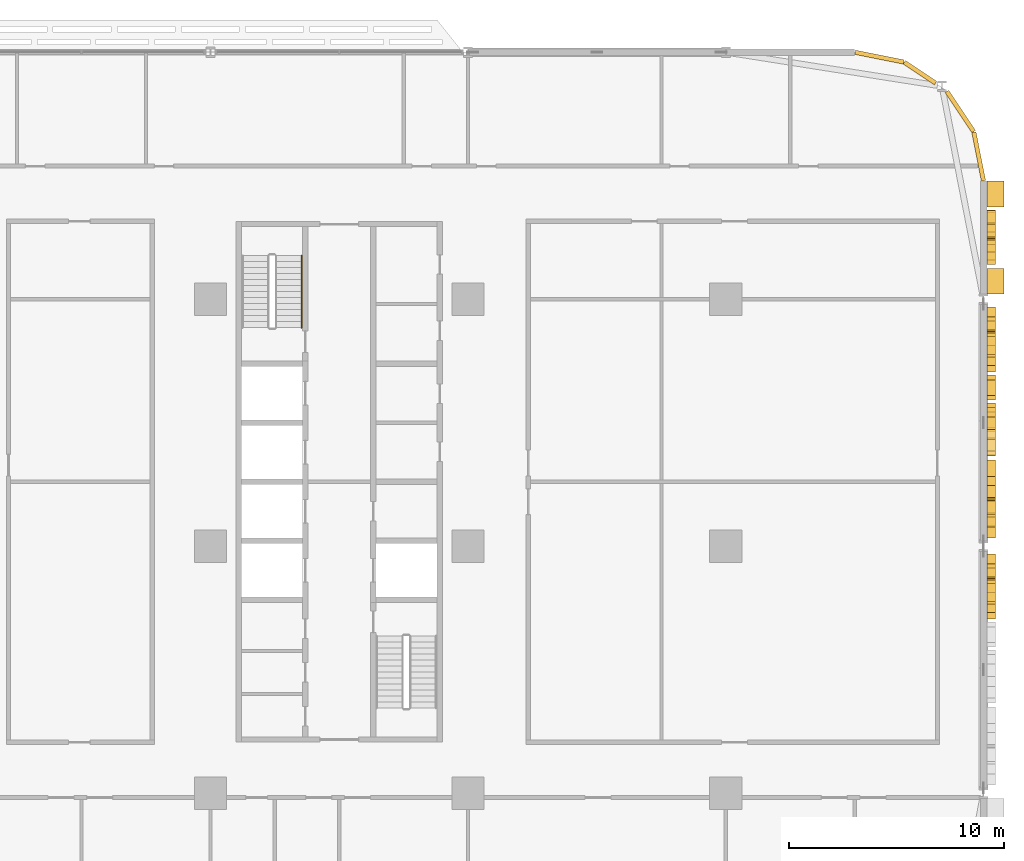
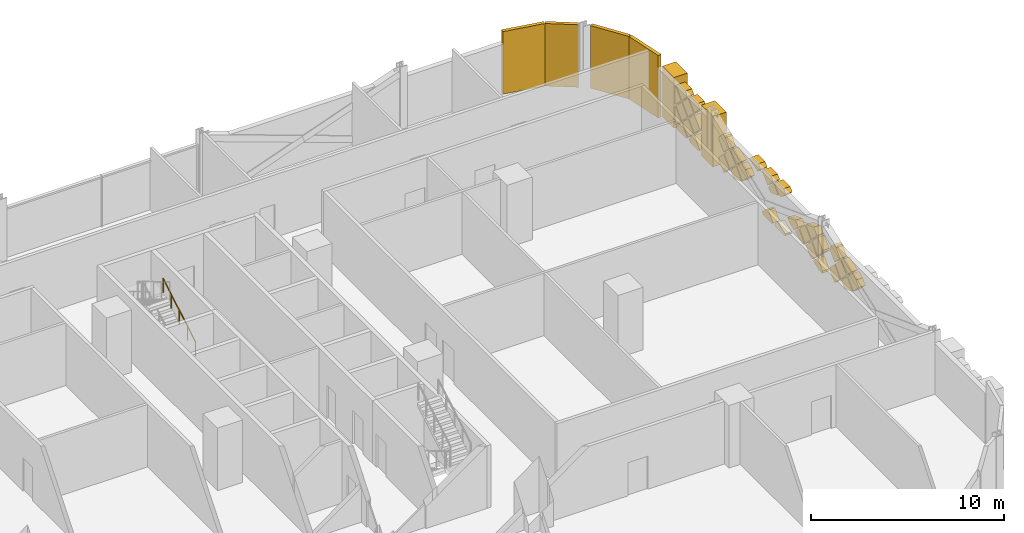
# One storey, part 29 of 29: 41 coverings, 1 railing.
"""IFC4 building model written with IfcOpenShell, lengths in metres."""

from ifc_helpers import new_model, si_unit, direction, frame, origin, origin_2d, place, context, subcontext, project, spatial, polyline, rectangle, circle, outline, extrude, material, layer, layer_set, type_object, element, save


model = new_model("IFC4")

# Units and contexts
model_context = context("Model", 3, precision=1e-05, world=origin(), true_north=direction((0.0, 1.0)))
body_context = subcontext(model_context, "Body", "Model", "MODEL_VIEW")
ifc_project = project(units=[si_unit("LENGTHUNIT", "METRE"), si_unit("AREAUNIT", "SQUARE_METRE"), si_unit("VOLUMEUNIT", "CUBIC_METRE"), si_unit("PLANEANGLEUNIT", "RADIAN"), si_unit("MASSUNIT", "GRAM", prefix="KILO")], contexts=[model_context])

# Site, building, storey
site_placement = place(None, origin())
site = spatial("IfcSite", under=ifc_project, at=site_placement, CompositionType="ELEMENT")
building_placement = place(site_placement, origin())
building = spatial("IfcBuilding", under=site, at=building_placement, Name="Mahtab Terrace Research Tower", CompositionType="ELEMENT")
storey_placement = place(building_placement, frame((0.0, 0.0, 58.89990234375)))
storey = spatial("IfcBuildingStorey", under=building, at=storey_placement, Name="L13", CompositionType="ELEMENT", Elevation=58.89990234375)

# Coverings
ifc_material_1 = material(Name="Black aluminium cladding panel", Category="aluminium")
ifc_layer_1 = layer(ifc_material_1, 0.199951171875)
ifc_layer_set_1 = layer_set([ifc_layer_1], Name="Black metal corner cladding 200")
covering_type_1 = type_object("IfcCoveringType", Name="Black metal corner cladding 200", PredefinedType="CLADDING", material=ifc_layer_set_1)
covering_1_placement = place(storey_placement, frame((52.911376953125, 20.2421875, 0.0), z_axis=(0.0, 0.0, 1.0), x_axis=(-0.555291490808, 0.831655794326, 0.0)))
element("IfcCovering", 1, at=covering_1_placement, inside=storey, type_object=covering_type_1, Name="Corner cladding L13 0", PredefinedType="CLADDING", context=body_context, shape_type="SweptSolid", body=[
    extrude(rectangle(XDim=2.235595703125, YDim=0.199951171875, at=origin_2d()), origin(), (0.0, 0.0, 1.0), 3.9599609375),
])
covering_2_placement = place(storey_placement, frame((51.0380859375, 22.047607421875, 0.0), z_axis=(0.0, 0.0, 1.0), x_axis=(-0.831655794326, 0.555291490808, 0.0)))
element("IfcCovering", 2, at=covering_2_placement, inside=storey, type_object=covering_type_1, Name="Corner cladding L13 1", PredefinedType="CLADDING", context=body_context, shape_type="SweptSolid", body=[
    extrude(rectangle(XDim=1.74462890625, YDim=0.199951171875, at=origin_2d()), origin(), (0.0, 0.0, 1.0), 3.9599609375),
])
for number, where, z_axis, x_axis, name in (
    (3, (49.14794921875, 22.771484375, 0.0), (0.0, 0.0, 1.0), (-0.980760981187, 0.195212442692, 0.0), "Corner cladding L13 2"),
    (4, (53.771484375, 18.14794921875, 0.0), (0.0, 0.0, 1.0), (-0.195212442692, 0.980760981187, 0.0), "Corner cladding L13 39"),
):
    element("IfcCovering", number, at=place(storey_placement, frame(where, z_axis=z_axis, x_axis=x_axis)), inside=storey, type_object=covering_type_1, Name=name, PredefinedType="CLADDING", context=body_context, shape_type="SweptSolid", body=[
        extrude(rectangle(XDim=2.30126953125, YDim=0.199951171875, at=origin_2d()), origin(), (0.0, 0.0, 1.0), 3.9599609375),
    ])
ifc_material_2 = material(Name="Bronze anodised aluminium", Category="aluminium")
ifc_layer_2 = layer(ifc_material_2, 0.39990234375)
ifc_layer_set_2 = layer_set([ifc_layer_2], Name="Mashrabiya relief panel 400")
covering_type_2 = type_object("IfcCoveringType", Name="Mashrabiya relief panel 400", PredefinedType="CLADDING", material=ifc_layer_set_2)
covering_3_placement = place(storey_placement, frame((54.14990234375, -2.23193359375, 1.550048828125), z_axis=(-1.0, 0.0, 0.0), x_axis=(0.0, -0.707255598772, -0.706957932274)))
element("IfcCovering", 5, at=covering_3_placement, inside=storey, type_object=covering_type_2, Name="Mashrabiya lattice cell L13 E36.14", PredefinedType="CLADDING", context=body_context, shape_type="SweptSolid", body=[
    extrude(outline(polyline([(0.0, 0.0), (0.8201817362875763, 0.0), (0.8205270032629295, 0.8201816636150915), (0.3948128226525338, 0.8202712687888676), (0.00013488013181550684, 0.6408155062553886), (0.0, 0.0)])), origin(), (0.0, 0.0, -1.0), 0.39990234375),
])
covering_4_placement = place(storey_placement, frame((54.14990234375, -2.741943359375, 0.900146484375), z_axis=(-1.0, 0.0, 0.0), x_axis=(0.0, 0.707106781187, 0.707106781187)))
element("IfcCovering", 6, at=covering_4_placement, inside=storey, type_object=covering_type_2, Name="Mashrabiya lattice cell L13 E36.15", PredefinedType="CLADDING", context=body_context, shape_type="SweptSolid", body=[
    extrude(outline(polyline([(0.0, 0.0), (0.8200090846279543, 0.0), (0.820181718119455, 0.820181718119455), (0.35493445852527883, 0.8203543516109556), (0.0, 0.042467838909153004), (0.0, 0.0)])), origin(), (0.0, 0.0, -1.0), 0.39990234375),
])
covering_5_placement = place(storey_placement, frame((54.14990234375, -1.58203125, 2.2001953125), z_axis=(-1.0, 0.0, 0.0), x_axis=(0.0, -0.707106781187, -0.707106781187)))
element("IfcCovering", 7, at=covering_5_placement, inside=storey, type_object=covering_type_2, Name="Mashrabiya lattice cell L13 E36.16", PredefinedType="CLADDING", context=body_context, shape_type="SweptSolid", body=[
    extrude(outline(polyline([(0.0, 0.0), (0.8203543516109556, 0.0), (0.8203543516109556, 0.5952402786941445), (0.0, 0.22200667006979985), (0.0, 0.0)])), origin(), (0.0, 0.0, -1.0), 0.39990234375),
])
covering_6_placement = place(storey_placement, frame((54.14990234375, -1.511962890625, 2.130126953125), z_axis=(-1.0, 0.0, 0.0), x_axis=(0.0, 0.707106781187, -0.707106781187)))
element("IfcCovering", 8, at=covering_6_placement, inside=storey, type_object=covering_type_2, Name="Mashrabiya lattice cell L13 E36.17", PredefinedType="CLADDING", context=body_context, shape_type="SweptSolid", body=[
    extrude(outline(polyline([(0.0, 0.0), (0.8203543516109556, 0.0), (0.820181718119455, 0.820181718119455), (0.0, 0.8203543516109556), (0.0, 0.0)])), origin(), (0.0, 0.0, -1.0), 0.39990234375),
])
covering_7_placement = place(storey_placement, frame((54.14990234375, -0.862060546875, 0.320068359375), z_axis=(-1.0, 0.0, 0.0), x_axis=(0.0, -0.706957932274, 0.707255598772)))
element("IfcCovering", 9, at=covering_7_placement, inside=storey, type_object=covering_type_2, Name="Mashrabiya lattice cell L13 E36.18", PredefinedType="CLADDING", context=body_context, shape_type="SweptSolid", body=[
    extrude(outline(polyline([(0.0, 0.0), (0.8201817362875763, 0.0), (0.8203543334390104, 0.8200090664636573), (0.12895725163063232, 0.8203272266021746), (0.00014556298708318094, 0.6915697516322972), (0.0, 0.0)])), origin(), (0.0, 0.0, -1.0), 0.39990234375),
])
covering_8_placement = place(storey_placement, frame((54.14990234375, -0.862060546875, 1.6201171875), z_axis=(-1.0, 0.0, 0.0), x_axis=(0.0, -0.706957932274, 0.707255598772)))
element("IfcCovering", 10, at=covering_8_placement, inside=storey, type_object=covering_type_2, Name="Mashrabiya lattice cell L13 E36.19", PredefinedType="CLADDING", context=body_context, shape_type="SweptSolid", body=[
    extrude(outline(polyline([(0.0, 0.0), (0.8201817362875763, 0.0), (0.8203091311534559, 0.6052530077940174), (0.7228164492379968, 0.820202229928294), (0.12878458180671332, 0.8201546294507405), (0.00014556298708318094, 0.6915697516322972), (0.0, 0.0)])), origin(), (0.0, 0.0, -1.0), 0.39990234375),
])
covering_9_placement = place(storey_placement, frame((54.14990234375, 0.373046875, 0.18505859375), z_axis=(-1.0, 0.0, 0.0), x_axis=(0.0, 0.0, 1.0)))
element("IfcCovering", 11, at=covering_9_placement, inside=storey, type_object=covering_type_2, Name="Mashrabiya lattice cell L13 E37.1", PredefinedType="CLADDING", context=body_context, shape_type="SweptSolid", body=[
    extrude(outline(polyline([(0.0, 0.0), (0.130126953125, 0.0), (0.64501953125, 0.514892578125), (0.177978515625, 0.98193359375), (-0.050048828125, 0.373046875), (-0.050048828125, 0.050048828125), (0.0, 0.0)])), origin(), (0.0, 0.0, -1.0), 0.39990234375),
])
covering_10_placement = place(storey_placement, frame((54.14990234375, 0.887939453125, 2.130126953125), z_axis=(-1.0, 0.0, 0.0), x_axis=(0.0, 0.707106781187, -0.707106781187)))
element("IfcCovering", 12, at=covering_10_placement, inside=storey, type_object=covering_type_2, Name="Mashrabiya lattice cell L13 E37.2", PredefinedType="CLADDING", context=body_context, shape_type="SweptSolid", body=[
    extrude(outline(polyline([(0.0, 0.0), (0.8203543516109556, 0.0), (0.820181718119455, 0.820181718119455), (0.0920136509698315, 0.820181718119455), (0.0001726334915005956, 0.728340700641124), (0.0, 0.0)])), origin(), (0.0, 0.0, -1.0), 0.39990234375),
])
covering_11_placement = place(storey_placement, frame((54.14990234375, 0.9580078125, 0.900146484375), z_axis=(-1.0, 0.0, 0.0), x_axis=(0.0, 0.707255598772, 0.706957932274)))
element("IfcCovering", 13, at=covering_11_placement, inside=storey, type_object=covering_type_2, Name="Mashrabiya lattice cell L13 E37.3", PredefinedType="CLADDING", context=body_context, shape_type="SweptSolid", body=[
    extrude(outline(polyline([(0.0, 0.0), (0.8201817362875763, 0.0), (0.8203543334390104, 0.8200090664636573), (0.25187229485634266, 0.8203013551975809), (0.0001485425589606293, 0.705725697621775), (0.0, 0.0)])), origin(), (0.0, 0.0, -1.0), 0.39990234375),
])
covering_12_placement = place(storey_placement, frame((54.14990234375, 2.117919921875, 2.2001953125), z_axis=(-1.0, 0.0, 0.0), x_axis=(0.0, -0.706957932274, -0.707255598772)))
element("IfcCovering", 14, at=covering_12_placement, inside=storey, type_object=covering_type_2, Name="Mashrabiya lattice cell L13 E37.4", PredefinedType="CLADDING", context=body_context, shape_type="SweptSolid", body=[
    extrude(outline(polyline([(0.0, 0.0), (0.8201817362875763, 0.0), (0.8200090664636573, 0.8203543334390104), (0.35769658646583113, 0.820257024981844), (-7.12190351180933e-06, 0.033836163584605644), (0.0, 0.0)])), origin(), (0.0, 0.0, -1.0), 0.39990234375),
])
covering_13_placement = place(storey_placement, frame((54.14990234375, 2.18798828125, 2.130126953125), z_axis=(-1.0, 0.0, 0.0), x_axis=(0.0, 0.707106781187, -0.707106781187)))
element("IfcCovering", 15, at=covering_13_placement, inside=storey, type_object=covering_type_2, Name="Mashrabiya lattice cell L13 E37.5", PredefinedType="CLADDING", context=body_context, shape_type="SweptSolid", body=[
    extrude(outline(polyline([(0.0, 0.0), (0.8203543516109556, 0.0), (0.820181718119455, 0.820181718119455), (0.0, 0.8203543516109556), (0.0, 0.0)])), origin(), (0.0, 0.0, -1.0), 0.39990234375),
])
covering_14_placement = place(storey_placement, frame((54.14990234375, 2.258056640625, 0.900146484375), z_axis=(-1.0, 0.0, 0.0), x_axis=(0.0, 0.707106781187, 0.707106781187)))
element("IfcCovering", 16, at=covering_14_placement, inside=storey, type_object=covering_type_2, Name="Mashrabiya lattice cell L13 E37.6", PredefinedType="CLADDING", context=body_context, shape_type="SweptSolid", body=[
    extrude(outline(polyline([(0.0, 0.0), (0.8200090846279543, 0.0), (0.820181718119455, 0.5798758979505892), (0.0, 0.2050885879027389), (0.0, 0.0)])), origin(), (0.0, 0.0, -1.0), 0.39990234375),
])
covering_15_placement = place(storey_placement, frame((54.14990234375, 2.907958984375, 1.550048828125), z_axis=(-1.0, 0.0, 0.0), x_axis=(0.0, 0.707106781187, 0.707106781187)))
element("IfcCovering", 17, at=covering_15_placement, inside=storey, type_object=covering_type_2, Name="Mashrabiya lattice cell L13 E37.7", PredefinedType="CLADDING", context=body_context, shape_type="SweptSolid", body=[
    extrude(outline(polyline([(0.0, 0.0), (0.3804842152673708, 0.0), (0.753890457383216, 0.820181718119455), (0.43003002732804935, 0.8201817181194551), (0.0001726334915006511, 0.6237248047917472), (0.0, 0.0)])), origin(), (0.0, 0.0, -1.0), 0.39990234375),
])
covering_16_placement = place(storey_placement, frame((54.14990234375, 4.2080078125, 0.25), z_axis=(-1.0, 0.0, 0.0), x_axis=(0.0, 0.707106781187, 0.707106781187)))
element("IfcCovering", 18, at=covering_16_placement, inside=storey, type_object=covering_type_2, Name="Mashrabiya lattice cell L13 E37.8", PredefinedType="CLADDING", context=body_context, shape_type="SweptSolid", body=[
    extrude(outline(polyline([(0.0, 0.0), (0.06939866358325003, 0.0), (0.8203543516109555, 0.3421595801542327), (0.820181718119455, 0.820181718119455), (0.6575609691258691, 0.820181718119455), (0.0, 0.1626207489935859), (0.0, 0.0)])), origin(), (0.0, 0.0, -1.0), 0.39990234375),
])
covering_17_placement = place(storey_placement, frame((54.14990234375, 4.2080078125, 2.85009765625), z_axis=(-1.0, 0.0, 0.0), x_axis=(0.0, 0.707106781187, 0.707106781187)))
element("IfcCovering", 19, at=covering_17_placement, inside=storey, type_object=covering_type_2, Name="Mashrabiya lattice cell L13 E37.9", PredefinedType="CLADDING", context=body_context, shape_type="SweptSolid", body=[
    extrude(outline(polyline([(0.0, 0.0), (0.30832341582011086, 0.0), (0.820181718119455, 0.511858302299344), (0.820181718119455, 0.820181718119455), (0.09891899062985643, 0.820181718119455), (0.0, 0.6038719532691756), (0.0, 0.0)])), origin(), (0.0, 0.0, -1.0), 0.39990234375),
])
covering_18_placement = place(storey_placement, frame((54.14990234375, 5.43798828125, 2.780029296875), z_axis=(-1.0, 0.0, 0.0), x_axis=(0.0, 0.707255598772, -0.706957932274)))
element("IfcCovering", 20, at=covering_18_placement, inside=storey, type_object=covering_type_2, Name="Mashrabiya lattice cell L13 E37.10", PredefinedType="CLADDING", context=body_context, shape_type="SweptSolid", body=[
    extrude(outline(polyline([(0.0, 0.0), (0.8201817362875763, 0.0), (0.8201370427094155, 0.21233918984216815), (0.767805005014702, 0.3267841822902776), (-0.00014229272526661285, 0.6760327377414068), (0.0, 0.0)])), origin(), (0.0, 0.0, -1.0), 0.39990234375),
])
covering_19_placement = place(storey_placement, frame((54.14990234375, 5.508056640625, 0.25), z_axis=(-1.0, 0.0, 0.0), x_axis=(0.0, 0.707106781187, 0.707106781187)))
element("IfcCovering", 21, at=covering_19_placement, inside=storey, type_object=covering_type_2, Name="Mashrabiya lattice cell L13 E37.11", PredefinedType="CLADDING", context=body_context, shape_type="SweptSolid", body=[
    extrude(outline(polyline([(0.0, 0.0), (0.7185005916255887, 0.0), (0.8203543516109557, 0.22476880593380982), (0.820181718119455, 0.820181718119455), (0.6575609691258691, 0.820181718119455), (0.0, 0.1626207489935859), (0.0, 0.0)])), origin(), (0.0, 0.0, -1.0), 0.39990234375),
])
covering_20_placement = place(storey_placement, frame((54.14990234375, 6.66796875, 2.85009765625), z_axis=(-1.0, 0.0, 0.0), x_axis=(0.0, -0.707106781187, -0.707106781187)))
element("IfcCovering", 22, at=covering_20_placement, inside=storey, type_object=covering_type_2, Name="Mashrabiya lattice cell L13 E37.12", PredefinedType="CLADDING", context=body_context, shape_type="SweptSolid", body=[
    extrude(outline(polyline([(0.0, 0.0), (0.8203543516109556, 0.0), (0.820181718119455, 0.820181718119455), (0.511858302299344, 0.820181718119455), (0.0, 0.30832341582011086), (0.0, 0.0)])), origin(), (0.0, 0.0, -1.0), 0.39990234375),
])
covering_21_placement = place(storey_placement, frame((54.14990234375, 6.80810546875, 2.85009765625), z_axis=(-1.0, 0.0, 0.0), x_axis=(0.0, 0.706710532033, 0.707502808414)))
element("IfcCovering", 23, at=covering_21_placement, inside=storey, type_object=covering_type_2, Name="Mashrabiya lattice cell L13 E37.13", PredefinedType="CLADDING", context=body_context, shape_type="SweptSolid", body=[
    extrude(outline(polyline([(0.0, 0.0), (0.3081508306853267, 0.0), (0.8198948341056175, 0.5123177074599996), (0.819722103927782, 0.820641074896311), (0.7872670126186966, 0.8206228927723282), (-0.00025822484592424866, 0.4609313499747767), (0.0, 0.0)])), origin(), (0.0, 0.0, -1.0), 0.39990234375),
])
covering_22_placement = place(storey_placement, frame((54.14990234375, 9.26806640625, 1.550048828125), z_axis=(-1.0, 0.0, 0.0), x_axis=(0.0, -0.707255598772, -0.706957932274)))
element("IfcCovering", 24, at=covering_22_placement, inside=storey, type_object=covering_type_2, Name="Mashrabiya lattice cell L13 E37.14", PredefinedType="CLADDING", context=body_context, shape_type="SweptSolid", body=[
    extrude(outline(polyline([(0.0, 0.0), (0.8201817362875763, 0.0), (0.8205270032629295, 0.8201816636150915), (0.3948128226525338, 0.8202712687888676), (0.00013488013181550684, 0.6408155062553886), (0.0, 0.0)])), origin(), (0.0, 0.0, -1.0), 0.39990234375),
])
covering_23_placement = place(storey_placement, frame((54.14990234375, 8.758056640625, 0.900146484375), z_axis=(-1.0, 0.0, 0.0), x_axis=(0.0, 0.707106781187, 0.707106781187)))
element("IfcCovering", 25, at=covering_23_placement, inside=storey, type_object=covering_type_2, Name="Mashrabiya lattice cell L13 E37.15", PredefinedType="CLADDING", context=body_context, shape_type="SweptSolid", body=[
    extrude(outline(polyline([(0.0, 0.0), (0.8200090846279543, 0.0), (0.820181718119455, 0.820181718119455), (0.35493445852527883, 0.8203543516109556), (0.0, 0.042467838909153004), (0.0, 0.0)])), origin(), (0.0, 0.0, -1.0), 0.39990234375),
])
covering_24_placement = place(storey_placement, frame((54.14990234375, 9.91796875, 2.2001953125), z_axis=(-1.0, 0.0, 0.0), x_axis=(0.0, -0.707106781187, -0.707106781187)))
element("IfcCovering", 26, at=covering_24_placement, inside=storey, type_object=covering_type_2, Name="Mashrabiya lattice cell L13 E37.16", PredefinedType="CLADDING", context=body_context, shape_type="SweptSolid", body=[
    extrude(outline(polyline([(0.0, 0.0), (0.8203543516109556, 0.0), (0.8203543516109556, 0.5952402786941445), (0.0, 0.22200667006979985), (0.0, 0.0)])), origin(), (0.0, 0.0, -1.0), 0.39990234375),
])
covering_25_placement = place(storey_placement, frame((54.14990234375, 9.988037109375, 2.130126953125), z_axis=(-1.0, 0.0, 0.0), x_axis=(0.0, 0.707106781187, -0.707106781187)))
element("IfcCovering", 27, at=covering_25_placement, inside=storey, type_object=covering_type_2, Name="Mashrabiya lattice cell L13 E37.17", PredefinedType="CLADDING", context=body_context, shape_type="SweptSolid", body=[
    extrude(outline(polyline([(0.0, 0.0), (0.8203543516109556, 0.0), (0.820181718119455, 0.820181718119455), (0.0, 0.8203543516109556), (0.0, 0.0)])), origin(), (0.0, 0.0, -1.0), 0.39990234375),
])
covering_26_placement = place(storey_placement, frame((54.14990234375, 10.637939453125, 0.320068359375), z_axis=(-1.0, 0.0, 0.0), x_axis=(0.0, -0.706957932274, 0.707255598772)))
element("IfcCovering", 28, at=covering_26_placement, inside=storey, type_object=covering_type_2, Name="Mashrabiya lattice cell L13 E37.18", PredefinedType="CLADDING", context=body_context, shape_type="SweptSolid", body=[
    extrude(outline(polyline([(0.0, 0.0), (0.8201817362875763, 0.0), (0.8203543334390104, 0.8200090664636573), (0.12895725163063232, 0.8203272266021746), (0.00014556298708318094, 0.6915697516322972), (0.0, 0.0)])), origin(), (0.0, 0.0, -1.0), 0.39990234375),
])
covering_27_placement = place(storey_placement, frame((54.14990234375, 10.637939453125, 1.6201171875), z_axis=(-1.0, 0.0, 0.0), x_axis=(0.0, -0.706957932274, 0.707255598772)))
element("IfcCovering", 29, at=covering_27_placement, inside=storey, type_object=covering_type_2, Name="Mashrabiya lattice cell L13 E37.19", PredefinedType="CLADDING", context=body_context, shape_type="SweptSolid", body=[
    extrude(outline(polyline([(0.0, 0.0), (0.8201817362875763, 0.0), (0.8203091311534559, 0.6052530077940174), (0.7228164492379968, 0.820202229928294), (0.12878458180671332, 0.8201546294507405), (0.00014556298708318094, 0.6915697516322972), (0.0, 0.0)])), origin(), (0.0, 0.0, -1.0), 0.39990234375),
])
covering_28_placement = place(storey_placement, frame((54.14990234375, 13.10791015625, 0.25), z_axis=(-1.0, 0.0, 0.0), x_axis=(0.0, 0.707106781187, 0.707106781187)))
element("IfcCovering", 30, at=covering_28_placement, inside=storey, type_object=covering_type_2, Name="Mashrabiya lattice cell L13 E38.1", PredefinedType="CLADDING", context=body_context, shape_type="SweptSolid", body=[
    extrude(outline(polyline([(0.0, 0.0), (0.8203543516109556, 0.0), (0.8203543516109556, 0.8203543516109556), (0.6577336026173697, 0.8203543516109555), (0.0, 0.1626207489935859), (0.0, 0.0)])), origin(), (0.0, 0.0, -1.0), 0.39990234375),
])
covering_29_placement = place(storey_placement, frame((54.14990234375, 13.68798828125, 2.130126953125), z_axis=(-1.0, 0.0, 0.0), x_axis=(0.0, 0.707106781187, -0.707106781187)))
element("IfcCovering", 31, at=covering_29_placement, inside=storey, type_object=covering_type_2, Name="Mashrabiya lattice cell L13 E38.2", PredefinedType="CLADDING", context=body_context, shape_type="SweptSolid", body=[
    extrude(outline(polyline([(0.0, 0.0), (0.8203543516109556, 0.0), (0.820181718119455, 0.820181718119455), (0.0, 0.8203543516109556), (0.0, 0.0)])), origin(), (0.0, 0.0, -1.0), 0.39990234375),
])
covering_30_placement = place(storey_placement, frame((54.14990234375, 14.26806640625, 2.85009765625), z_axis=(-1.0, 0.0, 0.0), x_axis=(0.0, -0.707106781187, -0.707106781187)))
element("IfcCovering", 32, at=covering_30_placement, inside=storey, type_object=covering_type_2, Name="Mashrabiya lattice cell L13 E38.3", PredefinedType="CLADDING", context=body_context, shape_type="SweptSolid", body=[
    extrude(outline(polyline([(0.0, 0.0), (0.8203543516109556, 0.0), (0.8203543516109556, 0.8203543516109556), (0.5120309357908447, 0.8203543516109556), (0.0, 0.30832341582011086), (0.0, 0.0)])), origin(), (0.0, 0.0, -1.0), 0.39990234375),
])
for number, where, z_axis, x_axis, name in (
    (33, (54.14990234375, 14.337890625, 1.47998046875), (-1.0, 0.0, 0.0), (0.0, 0.707255598772, -0.706957932274), "Mashrabiya lattice cell L13 E38.4"),
    (34, (54.14990234375, 14.337890625, 2.780029296875), (-1.0, 0.0, 0.0), (0.0, 0.707255598772, -0.706957932274), "Mashrabiya lattice cell L13 E38.5"),
):
    element("IfcCovering", number, at=place(storey_placement, frame(where, z_axis=z_axis, x_axis=x_axis)), inside=storey, type_object=covering_type_2, Name=name, PredefinedType="CLADDING", context=body_context, shape_type="SweptSolid", body=[
        extrude(outline(polyline([(0.0, 0.0), (0.8201817362875763, 0.0), (0.8200090664636573, 0.8203543334390104), (-0.00017259715143413956, 0.8200090664636573), (0.0, 0.0)])), origin(), (0.0, 0.0, -1.0), 0.39990234375),
    ])
covering_31_placement = place(storey_placement, frame((54.14990234375, 14.407958984375, 0.25), z_axis=(-1.0, 0.0, 0.0), x_axis=(0.0, 0.707106781187, 0.707106781187)))
element("IfcCovering", 35, at=covering_31_placement, inside=storey, type_object=covering_type_2, Name="Mashrabiya lattice cell L13 E38.6", PredefinedType="CLADDING", context=body_context, shape_type="SweptSolid", body=[
    extrude(outline(polyline([(0.0, 0.0), (0.8203543516109556, 0.0), (0.8203543516109556, 0.8203543516109556), (0.6575609691258691, 0.820181718119455), (0.0, 0.1626207489935859), (0.0, 0.0)])), origin(), (0.0, 0.0, -1.0), 0.39990234375),
])
covering_32_placement = place(storey_placement, frame((54.14990234375, 14.988037109375, 2.130126953125), z_axis=(-1.0, 0.0, 0.0), x_axis=(0.0, 0.707106781187, -0.707106781187)))
element("IfcCovering", 36, at=covering_32_placement, inside=storey, type_object=covering_type_2, Name="Mashrabiya lattice cell L13 E38.7", PredefinedType="CLADDING", context=body_context, shape_type="SweptSolid", body=[
    extrude(outline(polyline([(0.0, 0.0), (0.8203543516109556, 0.0), (0.820181718119455, 0.820181718119455), (0.0, 0.8203543516109556), (0.0, 0.0)])), origin(), (0.0, 0.0, -1.0), 0.39990234375),
])
covering_33_placement = place(storey_placement, frame((54.14990234375, 15.568115234375, 2.85009765625), z_axis=(-1.0, 0.0, 0.0), x_axis=(0.0, -0.707106781187, -0.707106781187)))
element("IfcCovering", 37, at=covering_33_placement, inside=storey, type_object=covering_type_2, Name="Mashrabiya lattice cell L13 E38.8", PredefinedType="CLADDING", context=body_context, shape_type="SweptSolid", body=[
    extrude(outline(polyline([(0.0, 0.0), (0.8203543516109556, 0.0), (0.8203543516109556, 0.8203543516109556), (0.5120309357908447, 0.8203543516109556), (0.0, 0.30832341582011086), (0.0, 0.0)])), origin(), (0.0, 0.0, -1.0), 0.39990234375),
])
for number, where, z_axis, x_axis, name in (
    (38, (54.14990234375, 15.637939453125, 0.320068359375), (-1.0, 0.0, 0.0), (0.0, -0.706957932274, 0.707255598772), "Mashrabiya lattice cell L13 E38.9"),
    (39, (54.14990234375, 15.637939453125, 1.6201171875), (-1.0, 0.0, 0.0), (0.0, -0.706957932274, 0.707255598772), "Mashrabiya lattice cell L13 E38.10"),
):
    element("IfcCovering", number, at=place(storey_placement, frame(where, z_axis=z_axis, x_axis=x_axis)), inside=storey, type_object=covering_type_2, Name=name, PredefinedType="CLADDING", context=body_context, shape_type="SweptSolid", body=[
        extrude(outline(polyline([(0.0, 0.0), (0.8201817362875763, 0.0), (0.8203543334390104, 0.8200090664636573), (0.7822023689987332, 0.8201897302609058), (8.066645814396034e-06, 0.038324634264196196), (0.0, 0.0)])), origin(), (0.0, 0.0, -1.0), 0.39990234375),
    ])
ifc_material_3 = material(Name="Glazed ceramic tile cladding", Category="masonry")
ifc_layer_3 = layer(ifc_material_3, 0.800048828125)
ifc_layer_set_3 = layer_set([ifc_layer_3], Name="Pishtaq frame pier 800")
covering_type_3 = type_object("IfcCoveringType", Name="Pishtaq frame pier 800", PredefinedType="CLADDING", material=ifc_layer_set_3)
for number, where, z_axis, x_axis, name in (
    (40, (54.550048828125, 12.337890625, 0.00048828125), (0.0, 0.0, 1.0), (0.0, 1.0, 0.0), "Pishtaq frame pier 38a"),
    (41, (54.550048828125, 16.39990234375, 0.00048828125), (0.0, 0.0, 1.0), (0.0, 1.0, 0.0), "Pishtaq frame pier 38b"),
):
    element("IfcCovering", number, at=place(storey_placement, frame(where, z_axis=z_axis, x_axis=x_axis)), inside=storey, type_object=covering_type_3, Name=name, PredefinedType="CLADDING", context=body_context, shape_type="SweptSolid", body=[
        extrude(rectangle(XDim=1.199951171875, YDim=0.800048828125, at=origin_2d()), origin(), (0.0, 0.0, 1.0), 3.202880859375),
    ])

# Railing
ifc_material_4 = material(Name="Stainless steel AISI 304", Category="steel")
railing_type = type_object("IfcRailingType", Name="Stair handrail 900", PredefinedType="HANDRAIL", material=ifc_material_4)
railing_placement = place(storey_placement, frame((22.25, 10.175048828125, 0.16552734375)))
element("IfcRailing", 42, at=railing_placement, inside=storey, type_object=railing_type, Name="L13 ST3 stair handrail 1", PredefinedType="HANDRAIL", context=body_context, shape_type="SweptSolid", body=[
    extrude(circle(Radius=0.02392578125, at=origin_2d()), frame((0.0, 0.0, 0.8759765625), z_axis=(0.0, 0.861011212953, 0.508585972249), x_axis=(-1.0, 0.0, 0.0)), (0.0, 0.0, 1.0), 3.90234375),
    extrude(circle(Radius=0.02099609375, at=origin_2d()), origin(), (0.0, 0.0, 1.0), 0.851806640625),
    extrude(circle(Radius=0.02099609375, at=origin_2d()), frame((0.0, 0.83984375, 0.49609375)), (0.0, 0.0, 1.0), 0.851806640625),
    extrude(circle(Radius=0.02099609375, at=origin_2d()), frame((0.0, 1.679931640625, 0.9921875)), (0.0, 0.0, 1.0), 0.851806640625),
    extrude(circle(Radius=0.02099609375, at=origin_2d()), frame((0.0, 2.52001953125, 1.488525390625)), (0.0, 0.0, 1.0), 0.851806640625),
    extrude(circle(Radius=0.02099609375, at=origin_2d()), frame((0.0, 3.35986328125, 1.984619140625)), (0.0, 0.0, 1.0), 0.851806640625),
])

save(model, "model.ifc")
